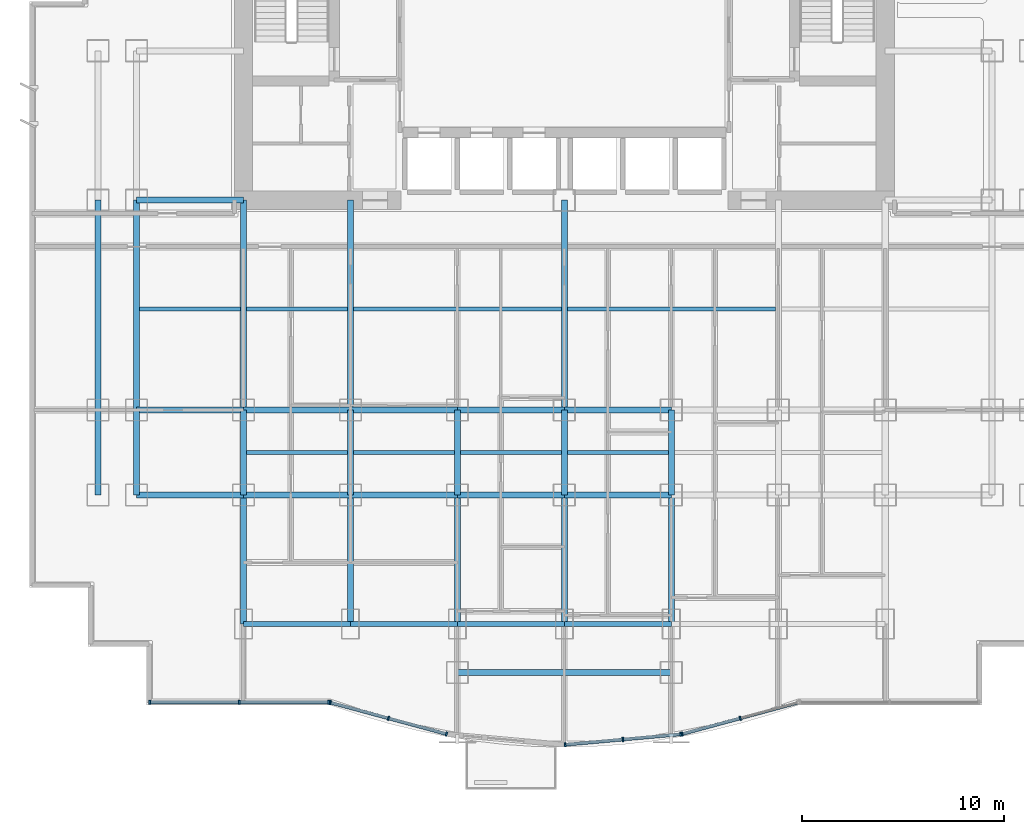
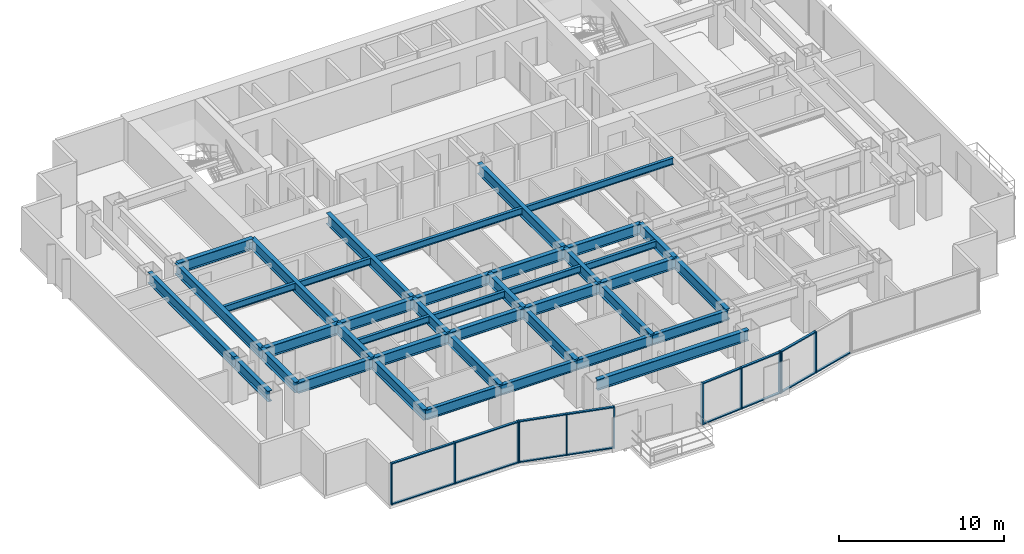
# One storey, part 2 of 10: 41 beams, 26 members, 4 elements without a shape of their own.
"""IFC4 building model written with IfcOpenShell, lengths in metres."""

from ifc_helpers import new_model, si_unit, direction, frame, origin, origin_2d, place, context, subcontext, project, spatial, rectangle, i_section, extrude, source, transform, mapped, material, layer, layer_set, material_profile, profile_set, type_object, element, aggregate, save


model = new_model("IFC4")

# Units and contexts
model_context = context("Model", 3, precision=1e-05, world=origin(), true_north=direction((0.0, 1.0)))
body_context = subcontext(model_context, "Body", "Model", "MODEL_VIEW")
ifc_project = project(units=[si_unit("LENGTHUNIT", "METRE"), si_unit("AREAUNIT", "SQUARE_METRE"), si_unit("VOLUMEUNIT", "CUBIC_METRE"), si_unit("PLANEANGLEUNIT", "RADIAN"), si_unit("MASSUNIT", "GRAM", prefix="KILO")], contexts=[model_context])

# Site, building, storey
site_placement = place(None, origin())
site = spatial("IfcSite", under=ifc_project, at=site_placement, CompositionType="ELEMENT")
building_placement = place(site_placement, origin())
building = spatial("IfcBuilding", under=site, at=building_placement, Name="Qianlan Lanfeng Residences", CompositionType="ELEMENT")
storey_placement = place(building_placement, frame((0.0, 0.0, 53.89990234375)))
storey = spatial("IfcBuildingStorey", under=building, at=storey_placement, Name="L14", CompositionType="ELEMENT", Elevation=53.89990234375)

# Beams
ifc_material_1 = material(Name="Steel SN490B", Category="steel")
ifc_material_profile_1 = material_profile(ifc_material_1, i_section(OverallWidth=0.300048828125, OverallDepth=0.800048828125, WebThickness=0.01611328125, FlangeThickness=0.028076171875, at=origin_2d()), Name="H 800x300x16x28")
ifc_profile_set_1 = profile_set([ifc_material_profile_1], Name="Steel SN490B")
beam_type_1 = type_object("IfcBeamType", Name="G-950", PredefinedType="BEAM", material=ifc_profile_set_1)
beam_1_placement = place(storey_placement, frame((21.199951171875, 1.800048828125, 2.68017578125), z_axis=(1.0, 0.0, 0.0), x_axis=(0.0, 1.0, 0.0)))
element("IfcBeam", 1, at=beam_1_placement, inside=storey, type_object=beam_type_1, Name="Structural beam G-950", PredefinedType="BEAM", context=body_context, shape_type="SweptSolid", body=[
    extrude(i_section(OverallWidth=0.300048828125, OverallDepth=0.800048828125, WebThickness=0.01611328125, FlangeThickness=0.028076171875, at=origin_2d()), origin(), (0.0, 0.0, 1.0), 10.60009765625),
])
beam_2_placement = place(storey_placement, frame((5.300048828125, 10.60009765625, 2.68017578125), z_axis=(1.0, 0.0, 0.0), x_axis=(0.0, 1.0, 0.0)))
element("IfcBeam", 2, at=beam_2_placement, inside=storey, type_object=beam_type_1, Name="Structural beam G-950", PredefinedType="BEAM", context=body_context, shape_type="SweptSolid", body=[
    extrude(i_section(OverallWidth=0.300048828125, OverallDepth=0.800048828125, WebThickness=0.01611328125, FlangeThickness=0.028076171875, at=origin_2d()), origin(), (0.0, 0.0, 1.0), 5.300048828125),
])
beam_3_placement = place(storey_placement, frame((10.60009765625, 10.60009765625, 2.68017578125), z_axis=(1.0, 0.0, 0.0), x_axis=(0.0, 1.0, 0.0)))
element("IfcBeam", 3, at=beam_3_placement, inside=storey, type_object=beam_type_1, Name="Structural beam G-950", PredefinedType="BEAM", context=body_context, shape_type="SweptSolid", body=[
    extrude(i_section(OverallWidth=0.300048828125, OverallDepth=0.800048828125, WebThickness=0.01611328125, FlangeThickness=0.028076171875, at=origin_2d()), origin(), (0.0, 0.0, 1.0), 5.2998046875),
])
for number, where, z_axis, x_axis, name in (
    (4, (15.89990234375, 10.60009765625, 2.68017578125), (1.0, 0.0, 0.0), (0.0, 1.0, 0.0), "Structural beam G-950"),
    (5, (21.199951171875, 10.60009765625, 2.68017578125), (1.0, 0.0, 0.0), (0.0, 1.0, 0.0), "Structural beam G-950"),
    (6, (26.5, 10.60009765625, 2.68017578125), (1.0, 0.0, 0.0), (0.0, 1.0, 0.0), "Structural beam G-950"),
    (7, (5.300048828125, 14.800048828125, 2.68017578125), (1.0, 0.0, 0.0), (0.0, 1.0, 0.0), "Structural beam G-950"),
):
    element("IfcBeam", number, at=place(storey_placement, frame(where, z_axis=z_axis, x_axis=x_axis)), inside=storey, type_object=beam_type_1, Name=name, PredefinedType="BEAM", context=body_context, shape_type="SweptSolid", body=[
        extrude(i_section(OverallWidth=0.300048828125, OverallDepth=0.800048828125, WebThickness=0.01611328125, FlangeThickness=0.028076171875, at=origin_2d()), origin(), (0.0, 0.0, 1.0), 5.300048828125),
    ])
beam_4_placement = place(storey_placement, frame((10.60009765625, 14.800048828125, 2.68017578125), z_axis=(1.0, 0.0, 0.0), x_axis=(0.0, 1.0, 0.0)))
element("IfcBeam", 8, at=beam_4_placement, inside=storey, type_object=beam_type_1, Name="Structural beam G-950", PredefinedType="BEAM", context=body_context, shape_type="SweptSolid", body=[
    extrude(i_section(OverallWidth=0.300048828125, OverallDepth=0.800048828125, WebThickness=0.01611328125, FlangeThickness=0.028076171875, at=origin_2d()), origin(), (0.0, 0.0, 1.0), 5.2998046875),
])
for number, where, z_axis, x_axis, name in (
    (9, (15.89990234375, 14.800048828125, 2.68017578125), (1.0, 0.0, 0.0), (0.0, 1.0, 0.0), "Structural beam G-950"),
    (10, (21.199951171875, 14.800048828125, 2.68017578125), (1.0, 0.0, 0.0), (0.0, 1.0, 0.0), "Structural beam G-950"),
    (11, (26.5, 14.800048828125, 2.68017578125), (1.0, 0.0, 0.0), (0.0, 1.0, 0.0), "Structural beam G-950"),
    (12, (5.300048828125, 25.199951171875, 2.68017578125), (1.0, 0.0, 0.0), (0.0, 1.0, 0.0), "Structural beam G-950"),
):
    element("IfcBeam", number, at=place(storey_placement, frame(where, z_axis=z_axis, x_axis=x_axis)), inside=storey, type_object=beam_type_1, Name=name, PredefinedType="BEAM", context=body_context, shape_type="SweptSolid", body=[
        extrude(i_section(OverallWidth=0.300048828125, OverallDepth=0.800048828125, WebThickness=0.01611328125, FlangeThickness=0.028076171875, at=origin_2d()), origin(), (0.0, 0.0, 1.0), 5.300048828125),
    ])
beam_5_placement = place(storey_placement, frame((3.39990234375, 10.60009765625, 2.68017578125), z_axis=(0.0, 1.0, 0.0), x_axis=(-1.0, 0.0, 0.0)))
element("IfcBeam", 13, at=beam_5_placement, inside=storey, type_object=beam_type_1, Name="Structural beam G-950", PredefinedType="BEAM", context=body_context, shape_type="SweptSolid", body=[
    extrude(i_section(OverallWidth=0.300048828125, OverallDepth=0.800048828125, WebThickness=0.01611328125, FlangeThickness=0.028076171875, at=origin_2d()), origin(), (0.0, 0.0, 1.0), 4.199951171875),
])
beam_6_placement = place(storey_placement, frame((3.39990234375, 14.800048828125, 2.68017578125), z_axis=(0.0, 1.0, 0.0), x_axis=(-1.0, 0.0, 0.0)))
element("IfcBeam", 14, at=beam_6_placement, inside=storey, type_object=beam_type_1, Name="Structural beam G-950", PredefinedType="BEAM", context=body_context, shape_type="SweptSolid", body=[
    extrude(i_section(OverallWidth=0.300048828125, OverallDepth=0.800048828125, WebThickness=0.01611328125, FlangeThickness=0.028076171875, at=origin_2d()), origin(), (0.0, 0.0, 1.0), 10.39990234375),
])
beam_7_placement = place(storey_placement, frame((5.300048828125, 10.60009765625, 2.68017578125), z_axis=(0.0, 1.0, 0.0), x_axis=(-1.0, 0.0, 0.0)))
element("IfcBeam", 15, at=beam_7_placement, inside=storey, type_object=beam_type_1, Name="Structural beam G-950", PredefinedType="BEAM", context=body_context, shape_type="SweptSolid", body=[
    extrude(i_section(OverallWidth=0.300048828125, OverallDepth=0.800048828125, WebThickness=0.01611328125, FlangeThickness=0.028076171875, at=origin_2d()), origin(), (0.0, 0.0, 1.0), 4.199951171875),
])
beam_8_placement = place(storey_placement, frame((5.300048828125, 14.800048828125, 2.68017578125), z_axis=(0.0, 1.0, 0.0), x_axis=(-1.0, 0.0, 0.0)))
element("IfcBeam", 16, at=beam_8_placement, inside=storey, type_object=beam_type_1, Name="Structural beam G-950", PredefinedType="BEAM", context=body_context, shape_type="SweptSolid", body=[
    extrude(i_section(OverallWidth=0.300048828125, OverallDepth=0.800048828125, WebThickness=0.01611328125, FlangeThickness=0.028076171875, at=origin_2d()), origin(), (0.0, 0.0, 1.0), 10.39990234375),
])
beam_9_placement = place(storey_placement, frame((10.60009765625, 4.199951171875, 2.68017578125), z_axis=(0.0, 1.0, 0.0), x_axis=(-1.0, 0.0, 0.0)))
element("IfcBeam", 17, at=beam_9_placement, inside=storey, type_object=beam_type_1, Name="Structural beam G-950", PredefinedType="BEAM", context=body_context, shape_type="SweptSolid", body=[
    extrude(i_section(OverallWidth=0.300048828125, OverallDepth=0.800048828125, WebThickness=0.01611328125, FlangeThickness=0.028076171875, at=origin_2d()), origin(), (0.0, 0.0, 1.0), 6.400146484375),
])
beam_10_placement = place(storey_placement, frame((10.60009765625, 10.60009765625, 2.68017578125), z_axis=(0.0, 1.0, 0.0), x_axis=(-1.0, 0.0, 0.0)))
element("IfcBeam", 18, at=beam_10_placement, inside=storey, type_object=beam_type_1, Name="Structural beam G-950", PredefinedType="BEAM", context=body_context, shape_type="SweptSolid", body=[
    extrude(i_section(OverallWidth=0.300048828125, OverallDepth=0.800048828125, WebThickness=0.01611328125, FlangeThickness=0.028076171875, at=origin_2d()), origin(), (0.0, 0.0, 1.0), 4.199951171875),
])
beam_11_placement = place(storey_placement, frame((10.60009765625, 14.800048828125, 2.68017578125), z_axis=(0.0, 1.0, 0.0), x_axis=(-1.0, 0.0, 0.0)))
element("IfcBeam", 19, at=beam_11_placement, inside=storey, type_object=beam_type_1, Name="Structural beam G-950", PredefinedType="BEAM", context=body_context, shape_type="SweptSolid", body=[
    extrude(i_section(OverallWidth=0.300048828125, OverallDepth=0.800048828125, WebThickness=0.01611328125, FlangeThickness=0.028076171875, at=origin_2d()), origin(), (0.0, 0.0, 1.0), 10.39990234375),
])
beam_12_placement = place(storey_placement, frame((15.89990234375, 4.199951171875, 2.68017578125), z_axis=(0.0, 1.0, 0.0), x_axis=(-1.0, 0.0, 0.0)))
element("IfcBeam", 20, at=beam_12_placement, inside=storey, type_object=beam_type_1, Name="Structural beam G-950", PredefinedType="BEAM", context=body_context, shape_type="SweptSolid", body=[
    extrude(i_section(OverallWidth=0.300048828125, OverallDepth=0.800048828125, WebThickness=0.01611328125, FlangeThickness=0.028076171875, at=origin_2d()), origin(), (0.0, 0.0, 1.0), 6.400146484375),
])
beam_13_placement = place(storey_placement, frame((15.89990234375, 10.60009765625, 2.68017578125), z_axis=(0.0, 1.0, 0.0), x_axis=(-1.0, 0.0, 0.0)))
element("IfcBeam", 21, at=beam_13_placement, inside=storey, type_object=beam_type_1, Name="Structural beam G-950", PredefinedType="BEAM", context=body_context, shape_type="SweptSolid", body=[
    extrude(i_section(OverallWidth=0.300048828125, OverallDepth=0.800048828125, WebThickness=0.01611328125, FlangeThickness=0.028076171875, at=origin_2d()), origin(), (0.0, 0.0, 1.0), 4.199951171875),
])
beam_14_placement = place(storey_placement, frame((15.89990234375, 14.800048828125, 2.68017578125), z_axis=(0.0, 1.0, 0.0), x_axis=(-1.0, 0.0, 0.0)))
element("IfcBeam", 22, at=beam_14_placement, inside=storey, type_object=beam_type_1, Name="Structural beam G-950", PredefinedType="BEAM", context=body_context, shape_type="SweptSolid", body=[
    extrude(i_section(OverallWidth=0.300048828125, OverallDepth=0.800048828125, WebThickness=0.01611328125, FlangeThickness=0.028076171875, at=origin_2d()), origin(), (0.0, 0.0, 1.0), 10.39990234375),
])
beam_15_placement = place(storey_placement, frame((21.199951171875, 4.199951171875, 2.68017578125), z_axis=(0.0, 1.0, 0.0), x_axis=(-1.0, 0.0, 0.0)))
element("IfcBeam", 23, at=beam_15_placement, inside=storey, type_object=beam_type_1, Name="Structural beam G-950", PredefinedType="BEAM", context=body_context, shape_type="SweptSolid", body=[
    extrude(i_section(OverallWidth=0.300048828125, OverallDepth=0.800048828125, WebThickness=0.01611328125, FlangeThickness=0.028076171875, at=origin_2d()), origin(), (0.0, 0.0, 1.0), 6.400146484375),
])
beam_16_placement = place(storey_placement, frame((21.199951171875, 10.60009765625, 2.68017578125), z_axis=(0.0, 1.0, 0.0), x_axis=(-1.0, 0.0, 0.0)))
element("IfcBeam", 24, at=beam_16_placement, inside=storey, type_object=beam_type_1, Name="Structural beam G-950", PredefinedType="BEAM", context=body_context, shape_type="SweptSolid", body=[
    extrude(i_section(OverallWidth=0.300048828125, OverallDepth=0.800048828125, WebThickness=0.01611328125, FlangeThickness=0.028076171875, at=origin_2d()), origin(), (0.0, 0.0, 1.0), 4.199951171875),
])
beam_17_placement = place(storey_placement, frame((26.5, 4.199951171875, 2.68017578125), z_axis=(0.0, 1.0, 0.0), x_axis=(-1.0, 0.0, 0.0)))
element("IfcBeam", 25, at=beam_17_placement, inside=storey, type_object=beam_type_1, Name="Structural beam G-950", PredefinedType="BEAM", context=body_context, shape_type="SweptSolid", body=[
    extrude(i_section(OverallWidth=0.300048828125, OverallDepth=0.800048828125, WebThickness=0.01611328125, FlangeThickness=0.028076171875, at=origin_2d()), origin(), (0.0, 0.0, 1.0), 6.400146484375),
])
beam_18_placement = place(storey_placement, frame((26.5, 10.60009765625, 2.68017578125), z_axis=(0.0, 1.0, 0.0), x_axis=(-1.0, 0.0, 0.0)))
element("IfcBeam", 26, at=beam_18_placement, inside=storey, type_object=beam_type_1, Name="Structural beam G-950", PredefinedType="BEAM", context=body_context, shape_type="SweptSolid", body=[
    extrude(i_section(OverallWidth=0.300048828125, OverallDepth=0.800048828125, WebThickness=0.01611328125, FlangeThickness=0.028076171875, at=origin_2d()), origin(), (0.0, 0.0, 1.0), 4.199951171875),
])
beam_19_placement = place(storey_placement, frame((26.5, 14.800048828125, 2.68017578125), z_axis=(0.0, 1.0, 0.0), x_axis=(-1.0, 0.0, 0.0)))
element("IfcBeam", 27, at=beam_19_placement, inside=storey, type_object=beam_type_1, Name="Structural beam G-950", PredefinedType="BEAM", context=body_context, shape_type="SweptSolid", body=[
    extrude(i_section(OverallWidth=0.300048828125, OverallDepth=0.800048828125, WebThickness=0.01611328125, FlangeThickness=0.028076171875, at=origin_2d()), origin(), (0.0, 0.0, 1.0), 10.39990234375),
])
beam_20_placement = place(storey_placement, frame((31.800048828125, 4.199951171875, 2.68017578125), z_axis=(0.0, 1.0, 0.0), x_axis=(-1.0, 0.0, 0.0)))
element("IfcBeam", 28, at=beam_20_placement, inside=storey, type_object=beam_type_1, Name="Structural beam G-950", PredefinedType="BEAM", context=body_context, shape_type="SweptSolid", body=[
    extrude(i_section(OverallWidth=0.300048828125, OverallDepth=0.800048828125, WebThickness=0.01611328125, FlangeThickness=0.028076171875, at=origin_2d()), origin(), (0.0, 0.0, 1.0), 6.400146484375),
])
beam_21_placement = place(storey_placement, frame((31.800048828125, 10.60009765625, 2.68017578125), z_axis=(0.0, 1.0, 0.0), x_axis=(-1.0, 0.0, 0.0)))
element("IfcBeam", 29, at=beam_21_placement, inside=storey, type_object=beam_type_1, Name="Structural beam G-950", PredefinedType="BEAM", context=body_context, shape_type="SweptSolid", body=[
    extrude(i_section(OverallWidth=0.300048828125, OverallDepth=0.800048828125, WebThickness=0.01611328125, FlangeThickness=0.028076171875, at=origin_2d()), origin(), (0.0, 0.0, 1.0), 4.199951171875),
])
ifc_material_profile_2 = material_profile(ifc_material_1, i_section(OverallWidth=0.199951171875, OverallDepth=0.5, WebThickness=0.010009765625, FlangeThickness=0.01611328125, at=origin_2d()), Name="H 500x200x10x16")
ifc_profile_set_2 = profile_set([ifc_material_profile_2], Name="Steel SN490B")
beam_type_2 = type_object("IfcBeamType", Name="J-500", PredefinedType="JOIST", material=ifc_profile_set_2)
for number, where, z_axis, x_axis, name in (
    (30, (10.75, 12.699951171875, 2.830078125), (1.0, 0.0, 0.0), (0.0, 1.0, 0.0), "Structural beam J-500"),
    (31, (16.050048828125, 12.699951171875, 2.830078125), (1.0, 0.0, 0.0), (0.0, 1.0, 0.0), "Structural beam J-500"),
    (32, (21.35009765625, 12.699951171875, 2.830078125), (1.0, 0.0, 0.0), (0.0, 1.0, 0.0), "Structural beam J-500"),
    (33, (26.64990234375, 12.699951171875, 2.830078125), (1.0, 0.0, 0.0), (0.0, 1.0, 0.0), "Structural beam J-500"),
    (34, (5.449951171875, 19.800048828125, 2.830078125), (1.0, 0.0, 0.0), (0.0, 1.0, 0.0), "Structural beam J-500"),
    (35, (10.75, 19.800048828125, 2.830078125), (1.0, 0.0, 0.0), (0.0, 1.0, 0.0), "Structural beam J-500"),
):
    element("IfcBeam", number, at=place(storey_placement, frame(where, z_axis=z_axis, x_axis=x_axis)), inside=storey, type_object=beam_type_2, Name=name, PredefinedType="JOIST", context=body_context, shape_type="SweptSolid", body=[
        extrude(i_section(OverallWidth=0.199951171875, OverallDepth=0.5, WebThickness=0.010009765625, FlangeThickness=0.01611328125, at=origin_2d()), origin(), (0.0, 0.0, 1.0), 5.0),
    ])
for number, where, z_axis, x_axis, name in (
    (36, (16.050048828125, 19.800048828125, 2.830078125), (1.0, 0.0, 0.0), (0.0, 1.0, 0.0), "Structural beam J-500"),
    (37, (26.64990234375, 19.800048828125, 2.830078125), (1.0, 0.0, 0.0), (0.0, 1.0, 0.0), "Structural beam J-500"),
):
    element("IfcBeam", number, at=place(storey_placement, frame(where, z_axis=z_axis, x_axis=x_axis)), inside=storey, type_object=beam_type_2, Name=name, PredefinedType="JOIST", context=body_context, shape_type="SweptSolid", body=[
        extrude(i_section(OverallWidth=0.199951171875, OverallDepth=0.5, WebThickness=0.010009765625, FlangeThickness=0.01611328125, at=origin_2d()), origin(), (0.0, 0.0, 1.0), 10.300048828125),
    ])
ifc_material_profile_3 = material_profile(ifc_material_1, i_section(OverallWidth=0.25, OverallDepth=0.75, WebThickness=0.013916015625, FlangeThickness=0.02490234375, at=origin_2d()), Name="H 750x250x14x25")
ifc_profile_set_3 = profile_set([ifc_material_profile_3], Name="Steel SN490B")
beam_type_3 = type_object("IfcBeamType", Name="SG-850", PredefinedType="SPANDREL", material=ifc_profile_set_3)
beam_22_placement = place(storey_placement, frame((10.60009765625, 4.199951171875, 2.705078125), z_axis=(1.0, 0.0, 0.0), x_axis=(0.0, 1.0, 0.0)))
element("IfcBeam", 38, at=beam_22_placement, inside=storey, type_object=beam_type_3, Name="Structural beam SG-850", PredefinedType="SPANDREL", context=body_context, shape_type="SweptSolid", body=[
    extrude(i_section(OverallWidth=0.25, OverallDepth=0.75, WebThickness=0.013916015625, FlangeThickness=0.02490234375, at=origin_2d()), origin(), (0.0, 0.0, 1.0), 5.2998046875),
])
for number, where, z_axis, x_axis, name in (
    (39, (15.89990234375, 4.199951171875, 2.705078125), (1.0, 0.0, 0.0), (0.0, 1.0, 0.0), "Structural beam SG-850"),
    (40, (21.199951171875, 4.199951171875, 2.705078125), (1.0, 0.0, 0.0), (0.0, 1.0, 0.0), "Structural beam SG-850"),
    (41, (26.5, 4.199951171875, 2.705078125), (1.0, 0.0, 0.0), (0.0, 1.0, 0.0), "Structural beam SG-850"),
):
    element("IfcBeam", number, at=place(storey_placement, frame(where, z_axis=z_axis, x_axis=x_axis)), inside=storey, type_object=beam_type_3, Name=name, PredefinedType="SPANDREL", context=body_context, shape_type="SweptSolid", body=[
        extrude(i_section(OverallWidth=0.25, OverallDepth=0.75, WebThickness=0.013916015625, FlangeThickness=0.02490234375, at=origin_2d()), origin(), (0.0, 0.0, 1.0), 5.300048828125),
    ])

# Curtain wall, members
ifc_material_2 = material(Name="Anodised Bronze Aluminium 6063-T6", Category="aluminium")
ifc_layer = layer(ifc_material_2, 0.219970703125)
ifc_layer_set = layer_set([ifc_layer], Name="Anodised Bronze Aluminium 6063-T6")
curtain_wall_type = type_object("IfcCurtainWallType", Name="CW-02", PredefinedType="NOTDEFINED", material=ifc_layer_set)
curtain_wall_1_placement = place(storey_placement, origin())
curtain_wall_1 = element("IfcCurtainWall", 42, at=curtain_wall_1_placement, inside=storey, type_object=curtain_wall_type, Name="L14 Unitised Curtain Wall CWR-L14-01 (CW-02)", PredefinedType="NOTDEFINED")
ifc_material_profile_4 = material_profile(ifc_material_2, rectangle(XDim=0.080078125, YDim=0.2099609375, at=origin_2d()), Name="ALU MULLION 80x210")
ifc_profile_set_4 = profile_set([ifc_material_profile_4], Name="Anodised Bronze Aluminium 6063-T6")
member_type_1 = type_object("IfcMemberType", Name="CWM-220", PredefinedType="MULLION", material=ifc_profile_set_4)
shared_shape_1 = source(origin(), body_context, "Body", "SweptSolid", [
    extrude(rectangle(XDim=0.080078125, YDim=0.2099609375, at=origin_2d()), origin(), (0.0, 0.0, 1.0), 3.080078125),
])
member_1_placement = place(storey_placement, frame((5.9599609375, 0.320068359375, 0.0), z_axis=(0.0, 0.0, 1.0), x_axis=(1.0, 0.0, 0.0)))
member_1 = element("IfcMember", 43, at=member_1_placement, type_object=member_type_1, Name="CWR-L14-01 Mullion 1", PredefinedType="MULLION", context=body_context, shape_type="MappedRepresentation", body=[
    mapped(shared_shape_1, transform((0.0, 0.0, 0.0), scale=1.0)),
])
member_2_placement = place(storey_placement, frame((10.39501953125, 0.320068359375, 0.0), z_axis=(0.0, 0.0, 1.0), x_axis=(1.0, 0.0, 0.0)))
member_2 = element("IfcMember", 44, at=member_2_placement, type_object=member_type_1, Name="CWR-L14-01 Mullion 2", PredefinedType="MULLION", context=body_context, shape_type="MappedRepresentation", body=[
    mapped(shared_shape_1, transform((0.0, 0.0, 0.0), scale=1.0)),
])
member_3_placement = place(storey_placement, frame((14.830078125, 0.320068359375, 0.0), z_axis=(0.0, 0.0, 1.0), x_axis=(1.0, 0.0, 0.0)))
member_3 = element("IfcMember", 45, at=member_3_placement, type_object=member_type_1, Name="CWR-L14-01 Mullion 3", PredefinedType="MULLION", context=body_context, shape_type="MappedRepresentation", body=[
    mapped(shared_shape_1, transform((0.0, 0.0, 0.0), scale=1.0)),
])

curtain_wall_2_placement = place(storey_placement, origin())
curtain_wall_2 = element("IfcCurtainWall", 46, at=curtain_wall_2_placement, inside=storey, type_object=curtain_wall_type, Name="L14 Unitised Curtain Wall CWR-L14-02 (CW-02)", PredefinedType="NOTDEFINED")
member_4_placement = place(storey_placement, frame((14.90869140625, 0.3095703125, 0.0), z_axis=(0.0, 0.0, 1.0), x_axis=(0.9652627173, -0.261281240412, 0.0)))
member_4 = element("IfcMember", 47, at=member_4_placement, type_object=member_type_1, Name="CWR-L14-02 Mullion 1", PredefinedType="MULLION", context=body_context, shape_type="MappedRepresentation", body=[
    mapped(shared_shape_1, transform((0.0, 0.0, 0.0), scale=1.0)),
])
member_5_placement = place(storey_placement, frame((17.782958984375, -0.468505859375, 0.0), z_axis=(0.0, 0.0, 1.0), x_axis=(0.9652627173, -0.261281240412, 0.0)))
member_5 = element("IfcMember", 48, at=member_5_placement, type_object=member_type_1, Name="CWR-L14-02 Mullion 2", PredefinedType="MULLION", context=body_context, shape_type="MappedRepresentation", body=[
    mapped(shared_shape_1, transform((0.0, 0.0, 0.0), scale=1.0)),
])
member_6_placement = place(storey_placement, frame((20.657470703125, -1.24658203125, 0.0), z_axis=(0.0, 0.0, 1.0), x_axis=(0.9652627173, -0.261281240412, 0.0)))
member_6 = element("IfcMember", 49, at=member_6_placement, type_object=member_type_1, Name="CWR-L14-02 Mullion 3", PredefinedType="MULLION", context=body_context, shape_type="MappedRepresentation", body=[
    mapped(shared_shape_1, transform((0.0, 0.0, 0.0), scale=1.0)),
])

curtain_wall_3_placement = place(storey_placement, origin())
curtain_wall_3 = element("IfcCurtainWall", 50, at=curtain_wall_3_placement, inside=storey, type_object=curtain_wall_type, Name="L14 Unitised Curtain Wall CWR-L14-03 (CW-02)", PredefinedType="NOTDEFINED")
member_7_placement = place(storey_placement, frame((26.539794921875, -1.7763671875, 0.0), z_axis=(0.0, 0.0, 1.0), x_axis=(0.995964677764, 0.089746089862, 0.0)))
member_7 = element("IfcMember", 51, at=member_7_placement, type_object=member_type_1, Name="CWR-L14-03 Mullion 1", PredefinedType="MULLION", context=body_context, shape_type="MappedRepresentation", body=[
    mapped(shared_shape_1, transform((0.0, 0.0, 0.0), scale=1.0)),
])
member_8_placement = place(storey_placement, frame((29.402099609375, -1.5185546875, 0.0), z_axis=(0.0, 0.0, 1.0), x_axis=(0.995964677764, 0.089746089862, 0.0)))
member_8 = element("IfcMember", 52, at=member_8_placement, type_object=member_type_1, Name="CWR-L14-03 Mullion 2", PredefinedType="MULLION", context=body_context, shape_type="MappedRepresentation", body=[
    mapped(shared_shape_1, transform((0.0, 0.0, 0.0), scale=1.0)),
])
member_9_placement = place(storey_placement, frame((32.26416015625, -1.260498046875, 0.0), z_axis=(0.0, 0.0, 1.0), x_axis=(0.995964677764, 0.089746089862, 0.0)))
member_9 = element("IfcMember", 53, at=member_9_placement, type_object=member_type_1, Name="CWR-L14-03 Mullion 3", PredefinedType="MULLION", context=body_context, shape_type="MappedRepresentation", body=[
    mapped(shared_shape_1, transform((0.0, 0.0, 0.0), scale=1.0)),
])

curtain_wall_4_placement = place(storey_placement, origin())
curtain_wall_4 = element("IfcCurtainWall", 54, at=curtain_wall_4_placement, inside=storey, type_object=curtain_wall_type, Name="L14 Unitised Curtain Wall CWR-L14-04 (CW-02)", PredefinedType="NOTDEFINED")
member_10_placement = place(storey_placement, frame((32.342529296875, -1.24658203125, 0.0), z_axis=(0.0, 0.0, 1.0), x_axis=(0.9652627173, 0.261281240412, 0.0)))
member_10 = element("IfcMember", 55, at=member_10_placement, type_object=member_type_1, Name="CWR-L14-04 Mullion 1", PredefinedType="MULLION", context=body_context, shape_type="MappedRepresentation", body=[
    mapped(shared_shape_1, transform((0.0, 0.0, 0.0), scale=1.0)),
])
member_11_placement = place(storey_placement, frame((35.217041015625, -0.468505859375, 0.0), z_axis=(0.0, 0.0, 1.0), x_axis=(0.9652627173, 0.261281240412, 0.0)))
member_11 = element("IfcMember", 56, at=member_11_placement, type_object=member_type_1, Name="CWR-L14-04 Mullion 2", PredefinedType="MULLION", context=body_context, shape_type="MappedRepresentation", body=[
    mapped(shared_shape_1, transform((0.0, 0.0, 0.0), scale=1.0)),
])

# Member
ifc_material_profile_5 = material_profile(ifc_material_2, rectangle(XDim=0.080078125, YDim=0.159912109375, at=origin_2d()), Name="ALU TRANSOM 80x160")
ifc_profile_set_5 = profile_set([ifc_material_profile_5], Name="Anodised Bronze Aluminium 6063-T6")
member_type_2 = type_object("IfcMemberType", Name="CWT-180", PredefinedType="USERDEFINED", material=ifc_profile_set_5)
shared_shape_2 = source(origin(), body_context, "Body", "SweptSolid", [
    extrude(rectangle(XDim=0.080078125, YDim=0.159912109375, at=origin_2d()), origin(), (0.0, 0.0, 1.0), 2.897705078125),
])
member_12_placement = place(storey_placement, frame((14.947265625, 0.299072265625, 0.0400390625), z_axis=(0.965267548724, -0.261263390817, 0.0), x_axis=(0.0, 0.0, 1.0)))
member_12 = element("IfcMember", 57, at=member_12_placement, type_object=member_type_2, Name="CWR-L14-02 Transom 1-BOT", ObjectType="TRANSOM", PredefinedType="USERDEFINED", context=body_context, shape_type="MappedRepresentation", body=[
    mapped(shared_shape_2, transform((0.0, 0.0, 0.0), scale=1.0)),
])

member_13_placement = place(storey_placement, frame((14.947265625, 0.299072265625, 3.0400390625), z_axis=(0.965267548724, -0.261263390817, 0.0), x_axis=(0.0, 0.0, 1.0)))
member_13 = element("IfcMember", 58, at=member_13_placement, type_object=member_type_2, Name="CWR-L14-02 Transom 1-TOP", ObjectType="TRANSOM", PredefinedType="USERDEFINED", context=body_context, shape_type="MappedRepresentation", body=[
    mapped(shared_shape_2, transform((0.0, 0.0, 0.0), scale=1.0)),
])

member_14_placement = place(storey_placement, frame((35.255615234375, -0.4580078125, 0.0400390625), z_axis=(0.965267548724, 0.261263390817, 0.0), x_axis=(0.0, 0.0, 1.0)))
member_14 = element("IfcMember", 59, at=member_14_placement, type_object=member_type_2, Name="CWR-L14-04 Transom 2-BOT", ObjectType="TRANSOM", PredefinedType="USERDEFINED", context=body_context, shape_type="MappedRepresentation", body=[
    mapped(shared_shape_2, transform((0.0, 0.0, 0.0), scale=1.0)),
])

shared_shape_3 = source(origin(), body_context, "Body", "SweptSolid", [
    extrude(rectangle(XDim=0.080078125, YDim=0.159912109375, at=origin_2d()), origin(), (0.0, 0.0, 1.0), 2.89794921875),
])
member_15_placement = place(storey_placement, frame((17.821533203125, -0.47900390625, 0.0400390625), z_axis=(0.965273298897, -0.261242145215, 0.0), x_axis=(0.0, 0.0, 1.0)))
member_15 = element("IfcMember", 60, at=member_15_placement, type_object=member_type_2, Name="CWR-L14-02 Transom 2-BOT", ObjectType="TRANSOM", PredefinedType="USERDEFINED", context=body_context, shape_type="MappedRepresentation", body=[
    mapped(shared_shape_3, transform((0.0, 0.0, 0.0), scale=1.0)),
])

member_16_placement = place(storey_placement, frame((17.821533203125, -0.47900390625, 3.0400390625), z_axis=(0.965273298897, -0.261242145215, 0.0), x_axis=(0.0, 0.0, 1.0)))
member_16 = element("IfcMember", 61, at=member_16_placement, type_object=member_type_2, Name="CWR-L14-02 Transom 2-TOP", ObjectType="TRANSOM", PredefinedType="USERDEFINED", context=body_context, shape_type="MappedRepresentation", body=[
    mapped(shared_shape_3, transform((0.0, 0.0, 0.0), scale=1.0)),
])

aggregate(curtain_wall_2, [member_4, member_5, member_6, member_12, member_13, member_15, member_16])

member_17_placement = place(storey_placement, frame((32.381103515625, -1.236083984375, 0.0400390625), z_axis=(0.965273298897, 0.261242145215, 0.0), x_axis=(0.0, 0.0, 1.0)))
member_17 = element("IfcMember", 62, at=member_17_placement, type_object=member_type_2, Name="CWR-L14-04 Transom 1-BOT", ObjectType="TRANSOM", PredefinedType="USERDEFINED", context=body_context, shape_type="MappedRepresentation", body=[
    mapped(shared_shape_3, transform((0.0, 0.0, 0.0), scale=1.0)),
])

member_18_placement = place(storey_placement, frame((32.381103515625, -1.236083984375, 3.0400390625), z_axis=(0.965273298897, 0.261242145215, 0.0), x_axis=(0.0, 0.0, 1.0)))
member_18 = element("IfcMember", 63, at=member_18_placement, type_object=member_type_2, Name="CWR-L14-04 Transom 1-TOP", ObjectType="TRANSOM", PredefinedType="USERDEFINED", context=body_context, shape_type="MappedRepresentation", body=[
    mapped(shared_shape_3, transform((0.0, 0.0, 0.0), scale=1.0)),
])

aggregate(curtain_wall_4, [member_10, member_11, member_17, member_18, member_14])

shared_shape_4 = source(origin(), body_context, "Body", "SweptSolid", [
    extrude(rectangle(XDim=0.080078125, YDim=0.159912109375, at=origin_2d()), origin(), (0.0, 0.0, 1.0), 2.793701171875),
])
member_19_placement = place(storey_placement, frame((29.44189453125, -1.514892578125, 0.0400390625), z_axis=(0.995964524532, 0.089747790357, 0.0), x_axis=(0.0, 0.0, 1.0)))
member_19 = element("IfcMember", 64, at=member_19_placement, type_object=member_type_2, Name="CWR-L14-03 Transom 2-BOT", ObjectType="TRANSOM", PredefinedType="USERDEFINED", context=body_context, shape_type="MappedRepresentation", body=[
    mapped(shared_shape_4, transform((0.0, 0.0, 0.0), scale=1.0)),
])

member_20_placement = place(storey_placement, frame((29.44189453125, -1.514892578125, 3.0400390625), z_axis=(0.995964524532, 0.089747790357, 0.0), x_axis=(0.0, 0.0, 1.0)))
member_20 = element("IfcMember", 65, at=member_20_placement, type_object=member_type_2, Name="CWR-L14-03 Transom 2-TOP", ObjectType="TRANSOM", PredefinedType="USERDEFINED", context=body_context, shape_type="MappedRepresentation", body=[
    mapped(shared_shape_4, transform((0.0, 0.0, 0.0), scale=1.0)),
])

shared_shape_5 = source(origin(), body_context, "Body", "SweptSolid", [
    extrude(rectangle(XDim=0.080078125, YDim=0.159912109375, at=origin_2d()), origin(), (0.0, 0.0, 1.0), 2.7939453125),
])
member_21_placement = place(storey_placement, frame((26.57958984375, -1.772705078125, 0.0400390625), z_axis=(0.995973034517, 0.089653301756, 0.0), x_axis=(0.0, 0.0, 1.0)))
member_21 = element("IfcMember", 66, at=member_21_placement, type_object=member_type_2, Name="CWR-L14-03 Transom 1-BOT", ObjectType="TRANSOM", PredefinedType="USERDEFINED", context=body_context, shape_type="MappedRepresentation", body=[
    mapped(shared_shape_5, transform((0.0, 0.0, 0.0), scale=1.0)),
])

member_22_placement = place(storey_placement, frame((26.57958984375, -1.772705078125, 3.0400390625), z_axis=(0.995973034517, 0.089653301756, 0.0), x_axis=(0.0, 0.0, 1.0)))
member_22 = element("IfcMember", 67, at=member_22_placement, type_object=member_type_2, Name="CWR-L14-03 Transom 1-TOP", ObjectType="TRANSOM", PredefinedType="USERDEFINED", context=body_context, shape_type="MappedRepresentation", body=[
    mapped(shared_shape_5, transform((0.0, 0.0, 0.0), scale=1.0)),
])

aggregate(curtain_wall_3, [member_7, member_8, member_9, member_21, member_22, member_19, member_20])

shared_shape_6 = source(origin(), body_context, "Body", "SweptSolid", [
    extrude(rectangle(XDim=0.080078125, YDim=0.159912109375, at=origin_2d()), origin(), (0.0, 0.0, 1.0), 4.35498046875),
])
member_23_placement = place(storey_placement, frame((6.0, 0.320068359375, 0.0400390625), z_axis=(1.0, 0.0, 0.0), x_axis=(0.0, 0.0, 1.0)))
member_23 = element("IfcMember", 68, at=member_23_placement, type_object=member_type_2, Name="CWR-L14-01 Transom 1-BOT", ObjectType="TRANSOM", PredefinedType="USERDEFINED", context=body_context, shape_type="MappedRepresentation", body=[
    mapped(shared_shape_6, transform((0.0, 0.0, 0.0), scale=1.0)),
])

member_24_placement = place(storey_placement, frame((6.0, 0.320068359375, 3.0400390625), z_axis=(1.0, 0.0, 0.0), x_axis=(0.0, 0.0, 1.0)))
member_24 = element("IfcMember", 69, at=member_24_placement, type_object=member_type_2, Name="CWR-L14-01 Transom 1-TOP", ObjectType="TRANSOM", PredefinedType="USERDEFINED", context=body_context, shape_type="MappedRepresentation", body=[
    mapped(shared_shape_6, transform((0.0, 0.0, 0.0), scale=1.0)),
])

member_25_placement = place(storey_placement, frame((10.43505859375, 0.320068359375, 0.0400390625), z_axis=(1.0, 0.0, 0.0), x_axis=(0.0, 0.0, 1.0)))
member_25 = element("IfcMember", 70, at=member_25_placement, type_object=member_type_2, Name="CWR-L14-01 Transom 2-BOT", ObjectType="TRANSOM", PredefinedType="USERDEFINED", context=body_context, shape_type="MappedRepresentation", body=[
    mapped(shared_shape_6, transform((0.0, 0.0, 0.0), scale=1.0)),
])

member_26_placement = place(storey_placement, frame((10.43505859375, 0.320068359375, 3.0400390625), z_axis=(1.0, 0.0, 0.0), x_axis=(0.0, 0.0, 1.0)))
member_26 = element("IfcMember", 71, at=member_26_placement, type_object=member_type_2, Name="CWR-L14-01 Transom 2-TOP", ObjectType="TRANSOM", PredefinedType="USERDEFINED", context=body_context, shape_type="MappedRepresentation", body=[
    mapped(shared_shape_6, transform((0.0, 0.0, 0.0), scale=1.0)),
])

aggregate(curtain_wall_1, [member_1, member_2, member_3, member_23, member_24, member_25, member_26])

save(model, "model.ifc")
